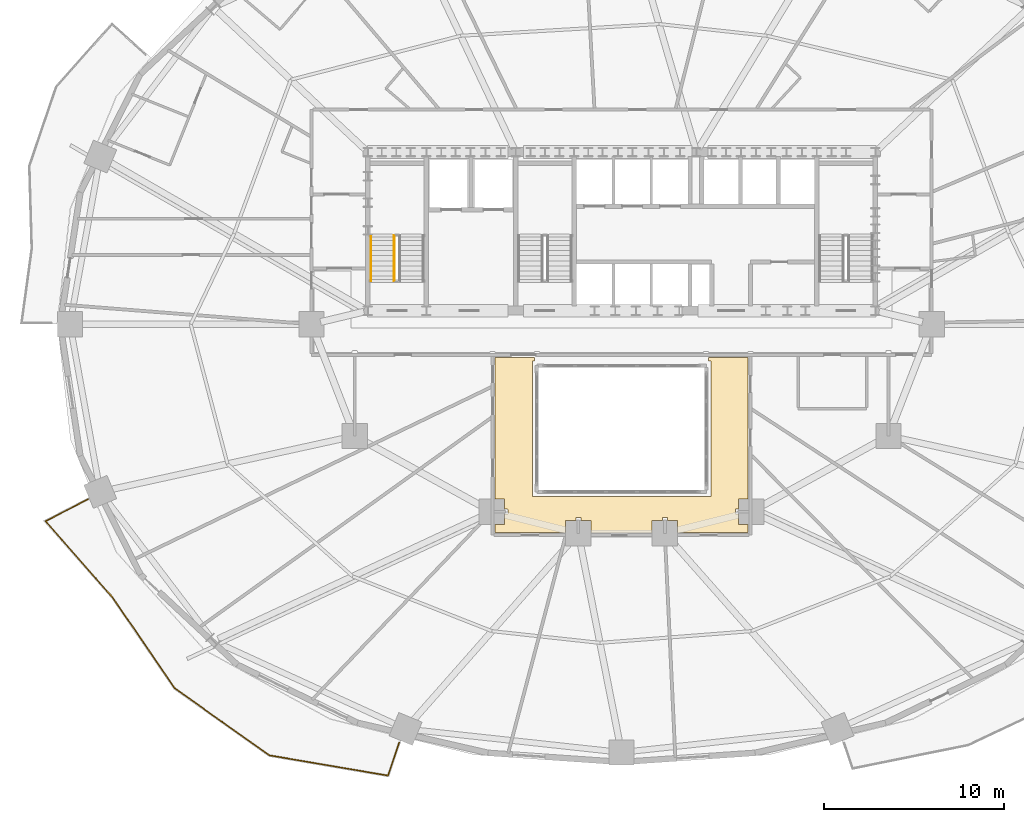
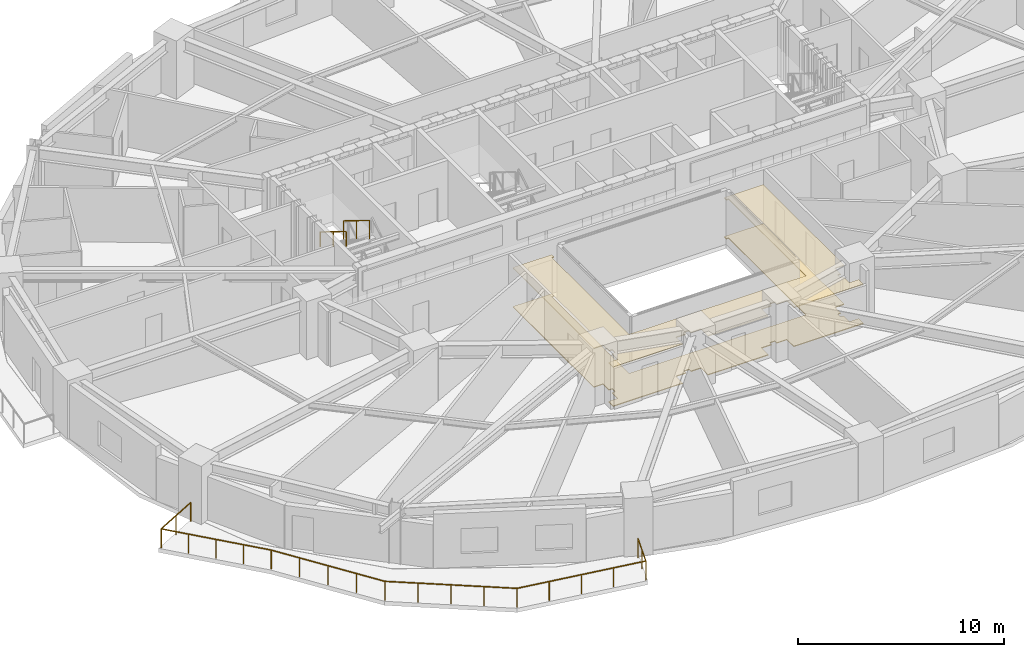
# One storey, part 14 of 17: 3 railings, 2 coverings.
"""IFC4 building model written with IfcOpenShell, lengths in metres."""

from ifc_helpers import new_model, si_unit, direction, frame, origin, origin_2d, place, context, subcontext, project, spatial, polyline, rectangle, outline, extrude, material, layer, layer_set, type_object, element, save


model = new_model("IFC4")

# Units and contexts
model_context = context("Model", 3, precision=1e-05, world=origin(), true_north=direction((0.0, 1.0)))
body_context = subcontext(model_context, "Body", "Model", "MODEL_VIEW")
ifc_project = project(units=[si_unit("LENGTHUNIT", "METRE"), si_unit("AREAUNIT", "SQUARE_METRE"), si_unit("VOLUMEUNIT", "CUBIC_METRE"), si_unit("PLANEANGLEUNIT", "RADIAN"), si_unit("MASSUNIT", "GRAM", prefix="KILO")], contexts=[model_context])

# Site, building, storey
site_placement = place(None, origin())
site = spatial("IfcSite", under=ifc_project, at=site_placement, CompositionType="ELEMENT")
building_placement = place(site_placement, origin())
building = spatial("IfcBuilding", under=site, at=building_placement, Name="Haldorwick Loom Tower", CompositionType="ELEMENT")
storey_placement = place(building_placement, frame((0.0, 0.0, 30.89990234375)))
storey = spatial("IfcBuildingStorey", under=building, at=storey_placement, Name="L07", CompositionType="ELEMENT", Elevation=30.89990234375)

# Coverings
ifc_material_1 = material(Name="Mineral Fibre Acoustic Ceiling Tile")
ifc_layer_1 = layer(ifc_material_1, 0.054931640625, Name="Mineral Fibre Acoustic Ceiling Tile")
ifc_layer_set_1 = layer_set([ifc_layer_1], Name="Mineral Fibre Acoustic Ceiling Tile")
covering_type_1 = type_object("IfcCoveringType", Name="ARC-COV-CEIL2", PredefinedType="CEILING", material=ifc_layer_set_1)
covering_1_placement = place(storey_placement, frame((0.0, 0.0, 2.302001953125)))
element("IfcCovering", 1, at=covering_1_placement, inside=storey, type_object=covering_type_1, Name="L07 Acoustic Suspended Ceiling 1", PredefinedType="CEILING", context=body_context, shape_type="SweptSolid", body=[
    extrude(outline(polyline([(40.820068359375, 24.159912109375), (40.820068359375, 23.949951171875), (40.949951171875, 23.949951171875), (40.949951171875, 16.449951171875), (31.050048828125, 16.449951171875), (31.050048828125, 23.949951171875), (31.179931640625, 23.949951171875), (31.179931640625, 24.159912109375), (28.989990234375, 24.159912109375), (28.989990234375, 16.30810546875), (29.508056640625, 16.30810546875), (29.508056640625, 15.739990234375), (29.669921875, 15.739990234375), (29.672119140625, 15.739990234375), (29.673828125, 15.739501953125), (29.67578125, 15.739013671875), (29.677734375, 15.738525390625), (29.679443359375, 15.737548828125), (29.68115234375, 15.736572265625), (29.6826171875, 15.735595703125), (29.68408203125, 15.734130859375), (29.685546875, 15.732666015625), (29.6865234375, 15.731201171875), (29.6875, 15.7294921875), (29.6884765625, 15.727783203125), (29.689208984375, 15.725830078125), (29.689697265625, 15.723876953125), (29.68994140625, 15.721923828125), (29.68994140625, 15.719970703125), (29.68994140625, 15.47998046875), (29.68994140625, 15.47802734375), (29.689697265625, 15.47607421875), (29.689208984375, 15.47412109375), (29.6884765625, 15.472412109375), (29.6875, 15.470703125), (29.6865234375, 15.468994140625), (29.685546875, 15.46728515625), (29.68408203125, 15.4658203125), (29.6826171875, 15.464599609375), (29.68115234375, 15.46337890625), (29.679443359375, 15.46240234375), (29.677734375, 15.46142578125), (29.67578125, 15.4609375), (29.673828125, 15.46044921875), (29.672119140625, 15.460205078125), (29.669921875, 15.4599609375), (29.508056640625, 15.4599609375), (29.508056640625, 14.89208984375), (28.989990234375, 14.89208984375), (28.989990234375, 14.43994140625), (32.89208984375, 14.43994140625), (32.89208984375, 15.10791015625), (33.4599609375, 15.10791015625), (33.4599609375, 15.27001953125), (33.460205078125, 15.27197265625), (33.46044921875, 15.27392578125), (33.4609375, 15.27587890625), (33.46142578125, 15.277587890625), (33.46240234375, 15.279296875), (33.46337890625, 15.281005859375), (33.464599609375, 15.28271484375), (33.4658203125, 15.2841796875), (33.46728515625, 15.285400390625), (33.468994140625, 15.28662109375), (33.470703125, 15.28759765625), (33.472412109375, 15.28857421875), (33.47412109375, 15.2890625), (33.47607421875, 15.28955078125), (33.47802734375, 15.289794921875), (33.47998046875, 15.2900390625), (33.719970703125, 15.2900390625), (33.721923828125, 15.289794921875), (33.723876953125, 15.28955078125), (33.725830078125, 15.2890625), (33.727783203125, 15.28857421875), (33.7294921875, 15.28759765625), (33.731201171875, 15.28662109375), (33.732666015625, 15.285400390625), (33.734130859375, 15.2841796875), (33.735595703125, 15.28271484375), (33.736572265625, 15.281005859375), (33.737548828125, 15.279296875), (33.738525390625, 15.277587890625), (33.739013671875, 15.27587890625), (33.739501953125, 15.27392578125), (33.739990234375, 15.27197265625), (33.739990234375, 15.27001953125), (33.739990234375, 15.10791015625), (34.30810546875, 15.10791015625), (34.30810546875, 14.43994140625), (37.69189453125, 14.43994140625), (37.69189453125, 15.10791015625), (38.259765625, 15.10791015625), (38.260009765625, 15.27001953125), (38.260009765625, 15.27197265625), (38.260498046875, 15.27392578125), (38.260986328125, 15.27587890625), (38.261474609375, 15.277587890625), (38.262451171875, 15.279296875), (38.263427734375, 15.281005859375), (38.264404296875, 15.28271484375), (38.265869140625, 15.2841796875), (38.267333984375, 15.285400390625), (38.268798828125, 15.28662109375), (38.2705078125, 15.28759765625), (38.2724609375, 15.28857421875), (38.274169921875, 15.2890625), (38.276123046875, 15.28955078125), (38.278076171875, 15.289794921875), (38.280029296875, 15.2900390625), (38.52001953125, 15.2900390625), (38.52197265625, 15.289794921875), (38.52392578125, 15.28955078125), (38.52587890625, 15.2890625), (38.527587890625, 15.28857421875), (38.529296875, 15.28759765625), (38.531005859375, 15.28662109375), (38.53271484375, 15.285400390625), (38.5341796875, 15.2841796875), (38.535400390625, 15.28271484375), (38.53662109375, 15.281005859375), (38.53759765625, 15.279296875), (38.53857421875, 15.277587890625), (38.5390625, 15.27587890625), (38.53955078125, 15.27392578125), (38.539794921875, 15.27197265625), (38.5400390625, 15.27001953125), (38.5400390625, 15.10791015625), (39.10791015625, 15.10791015625), (39.10791015625, 14.43994140625), (43.010009765625, 14.43994140625), (43.010009765625, 14.89208984375), (42.491943359375, 14.89208984375), (42.491943359375, 15.4599609375), (42.330078125, 15.4599609375), (42.327880859375, 15.460205078125), (42.326171875, 15.46044921875), (42.32421875, 15.4609375), (42.322265625, 15.46142578125), (42.320556640625, 15.46240234375), (42.31884765625, 15.46337890625), (42.3173828125, 15.464599609375), (42.31591796875, 15.4658203125), (42.314453125, 15.46728515625), (42.3134765625, 15.468994140625), (42.3125, 15.470703125), (42.3115234375, 15.472412109375), (42.310791015625, 15.47412109375), (42.310302734375, 15.47607421875), (42.31005859375, 15.47802734375), (42.31005859375, 15.47998046875), (42.31005859375, 15.719970703125), (42.31005859375, 15.721923828125), (42.310302734375, 15.723876953125), (42.310791015625, 15.725830078125), (42.3115234375, 15.727783203125), (42.3125, 15.7294921875), (42.3134765625, 15.731201171875), (42.314453125, 15.732666015625), (42.31591796875, 15.734130859375), (42.3173828125, 15.735595703125), (42.31884765625, 15.736572265625), (42.320556640625, 15.737548828125), (42.322265625, 15.738525390625), (42.32421875, 15.739013671875), (42.326171875, 15.739501953125), (42.327880859375, 15.739990234375), (42.330078125, 15.739990234375), (42.491943359375, 15.739990234375), (42.491943359375, 16.30810546875), (43.010009765625, 16.30810546875), (43.010009765625, 24.159912109375), (40.820068359375, 24.159912109375)])), origin(), (0.0, 0.0, 1.0), 0.05517578125),
])
ifc_material_2 = material(Name="Polished Aggregate Terrazzo Finish")
ifc_layer_2 = layer(ifc_material_2, 0.044921875, Name="Polished Aggregate Terrazzo Finish")
ifc_layer_set_2 = layer_set([ifc_layer_2], Name="Polished Aggregate Terrazzo Finish")
covering_type_2 = type_object("IfcCoveringType", Name="ARC-COV-FLOOR2", PredefinedType="FLOORING", material=ifc_layer_set_2)
covering_2_placement = place(storey_placement, origin())
element("IfcCovering", 2, at=covering_2_placement, inside=storey, type_object=covering_type_2, Name="L07 Floor Finish 1", PredefinedType="FLOORING", context=body_context, shape_type="SweptSolid", body=[
    extrude(outline(polyline([(40.820068359375, 24.159912109375), (40.820068359375, 23.949951171875), (40.949951171875, 23.949951171875), (40.949951171875, 16.449951171875), (31.050048828125, 16.449951171875), (31.050048828125, 23.949951171875), (31.179931640625, 23.949951171875), (31.179931640625, 24.159912109375), (28.989990234375, 24.159912109375), (28.989990234375, 16.30810546875), (29.508056640625, 16.30810546875), (29.508056640625, 15.739990234375), (29.669921875, 15.739990234375), (29.672119140625, 15.739990234375), (29.673828125, 15.739501953125), (29.67578125, 15.739013671875), (29.677734375, 15.738525390625), (29.679443359375, 15.737548828125), (29.68115234375, 15.736572265625), (29.6826171875, 15.735595703125), (29.68408203125, 15.734130859375), (29.685546875, 15.732666015625), (29.6865234375, 15.731201171875), (29.6875, 15.7294921875), (29.6884765625, 15.727783203125), (29.689208984375, 15.725830078125), (29.689697265625, 15.723876953125), (29.68994140625, 15.721923828125), (29.68994140625, 15.719970703125), (29.68994140625, 15.47998046875), (29.68994140625, 15.47802734375), (29.689697265625, 15.47607421875), (29.689208984375, 15.47412109375), (29.6884765625, 15.472412109375), (29.6875, 15.470703125), (29.6865234375, 15.468994140625), (29.685546875, 15.46728515625), (29.68408203125, 15.4658203125), (29.6826171875, 15.464599609375), (29.68115234375, 15.46337890625), (29.679443359375, 15.46240234375), (29.677734375, 15.46142578125), (29.67578125, 15.4609375), (29.673828125, 15.46044921875), (29.672119140625, 15.460205078125), (29.669921875, 15.4599609375), (29.508056640625, 15.4599609375), (29.508056640625, 14.89208984375), (28.989990234375, 14.89208984375), (28.989990234375, 14.43994140625), (32.89208984375, 14.43994140625), (32.89208984375, 15.10791015625), (33.4599609375, 15.10791015625), (33.4599609375, 15.27001953125), (33.460205078125, 15.27197265625), (33.46044921875, 15.27392578125), (33.4609375, 15.27587890625), (33.46142578125, 15.277587890625), (33.46240234375, 15.279296875), (33.46337890625, 15.281005859375), (33.464599609375, 15.28271484375), (33.4658203125, 15.2841796875), (33.46728515625, 15.285400390625), (33.468994140625, 15.28662109375), (33.470703125, 15.28759765625), (33.472412109375, 15.28857421875), (33.47412109375, 15.2890625), (33.47607421875, 15.28955078125), (33.47802734375, 15.289794921875), (33.47998046875, 15.2900390625), (33.719970703125, 15.2900390625), (33.721923828125, 15.289794921875), (33.723876953125, 15.28955078125), (33.725830078125, 15.2890625), (33.727783203125, 15.28857421875), (33.7294921875, 15.28759765625), (33.731201171875, 15.28662109375), (33.732666015625, 15.285400390625), (33.734130859375, 15.2841796875), (33.735595703125, 15.28271484375), (33.736572265625, 15.281005859375), (33.737548828125, 15.279296875), (33.738525390625, 15.277587890625), (33.739013671875, 15.27587890625), (33.739501953125, 15.27392578125), (33.739990234375, 15.27197265625), (33.739990234375, 15.27001953125), (33.739990234375, 15.10791015625), (34.30810546875, 15.10791015625), (34.30810546875, 14.43994140625), (37.69189453125, 14.43994140625), (37.69189453125, 15.10791015625), (38.259765625, 15.10791015625), (38.260009765625, 15.27001953125), (38.260009765625, 15.27197265625), (38.260498046875, 15.27392578125), (38.260986328125, 15.27587890625), (38.261474609375, 15.277587890625), (38.262451171875, 15.279296875), (38.263427734375, 15.281005859375), (38.264404296875, 15.28271484375), (38.265869140625, 15.2841796875), (38.267333984375, 15.285400390625), (38.268798828125, 15.28662109375), (38.2705078125, 15.28759765625), (38.2724609375, 15.28857421875), (38.274169921875, 15.2890625), (38.276123046875, 15.28955078125), (38.278076171875, 15.289794921875), (38.280029296875, 15.2900390625), (38.52001953125, 15.2900390625), (38.52197265625, 15.289794921875), (38.52392578125, 15.28955078125), (38.52587890625, 15.2890625), (38.527587890625, 15.28857421875), (38.529296875, 15.28759765625), (38.531005859375, 15.28662109375), (38.53271484375, 15.285400390625), (38.5341796875, 15.2841796875), (38.535400390625, 15.28271484375), (38.53662109375, 15.281005859375), (38.53759765625, 15.279296875), (38.53857421875, 15.277587890625), (38.5390625, 15.27587890625), (38.53955078125, 15.27392578125), (38.539794921875, 15.27197265625), (38.5400390625, 15.27001953125), (38.5400390625, 15.10791015625), (39.10791015625, 15.10791015625), (39.10791015625, 14.43994140625), (43.010009765625, 14.43994140625), (43.010009765625, 14.89208984375), (42.491943359375, 14.89208984375), (42.491943359375, 15.4599609375), (42.330078125, 15.4599609375), (42.327880859375, 15.460205078125), (42.326171875, 15.46044921875), (42.32421875, 15.4609375), (42.322265625, 15.46142578125), (42.320556640625, 15.46240234375), (42.31884765625, 15.46337890625), (42.3173828125, 15.464599609375), (42.31591796875, 15.4658203125), (42.314453125, 15.46728515625), (42.3134765625, 15.468994140625), (42.3125, 15.470703125), (42.3115234375, 15.472412109375), (42.310791015625, 15.47412109375), (42.310302734375, 15.47607421875), (42.31005859375, 15.47802734375), (42.31005859375, 15.47998046875), (42.31005859375, 15.719970703125), (42.31005859375, 15.721923828125), (42.310302734375, 15.723876953125), (42.310791015625, 15.725830078125), (42.3115234375, 15.727783203125), (42.3125, 15.7294921875), (42.3134765625, 15.731201171875), (42.314453125, 15.732666015625), (42.31591796875, 15.734130859375), (42.3173828125, 15.735595703125), (42.31884765625, 15.736572265625), (42.320556640625, 15.737548828125), (42.322265625, 15.738525390625), (42.32421875, 15.739013671875), (42.326171875, 15.739501953125), (42.327880859375, 15.739990234375), (42.330078125, 15.739990234375), (42.491943359375, 15.739990234375), (42.491943359375, 16.30810546875), (43.010009765625, 16.30810546875), (43.010009765625, 24.159912109375), (40.820068359375, 24.159912109375)])), origin(), (0.0, 0.0, 1.0), 0.045166015625),
])

# Railings
ifc_material_3 = material(Name="Galvanized Steel CSA G40.21 350W", Category="steel")
railing_type_1 = type_object("IfcRailingType", Name="ARC-RLG-BAL115", PredefinedType="BALUSTRADE", material=ifc_material_3)
railing_1_placement = place(storey_placement, frame((23.661865234375, 2.792236328125, 0.0)))
element("IfcRailing", 3, at=railing_1_placement, inside=storey, type_object=railing_type_1, Name="L07 Outdoor Terrace Guardrail SLB-L07-BAL_SW-1", PredefinedType="BALUSTRADE", context=body_context, shape_type="SweptSolid", body=[
    extrude(rectangle(XDim=0.048095703125, YDim=0.048095703125, at=origin_2d()), frame((0.0, 0.0, 1.1259765625), z_axis=(-0.320435584101, -0.947270308012, 0.0), x_axis=(0.947270308012, -0.320435584101, 0.0)), (0.0, 0.0, 1.0), 1.9306640625),
    extrude(rectangle(XDim=0.048095703125, YDim=0.048095703125, at=origin_2d()), frame((-0.61865234375, -1.828857421875, 1.1259765625), z_axis=(-0.985747982985, 0.168228755094, 0.0), x_axis=(-0.168228755094, -0.985747982985, 0.0)), (0.0, 0.0, 1.0), 6.66552734375),
    extrude(rectangle(XDim=0.048095703125, YDim=0.048095703125, at=origin_2d()), frame((-7.189208984375, -0.70751953125, 1.1259765625), z_axis=(-0.816259372483, 0.577685586486, 0.0), x_axis=(-0.577685586486, -0.816259372483, 0.0)), (0.0, 0.0, 1.0), 6.4326171875),
    extrude(rectangle(XDim=0.048095703125, YDim=0.048095703125, at=origin_2d()), frame((-12.43994140625, 3.008544921875, 1.1259765625), z_axis=(-0.564811281477, 0.82522010174, 0.0), x_axis=(-0.82522010174, -0.564811281477, 0.0)), (0.0, 0.0, 1.0), 6.115478515625),
    extrude(rectangle(XDim=0.048095703125, YDim=0.048095703125, at=origin_2d()), frame((-15.89404296875, 8.05517578125, 1.1259765625), z_axis=(-0.615644041972, 0.788024373725, 0.0), x_axis=(-0.788024373725, -0.615644041972, 0.0)), (0.0, 0.0, 1.0), 0.010009765625),
    extrude(rectangle(XDim=0.048095703125, YDim=0.048095703125, at=origin_2d()), frame((-15.900146484375, 8.06298828125, 1.1259765625), z_axis=(-0.661217967964, 0.750193840845, 0.0), x_axis=(-0.750193840845, -0.661217967964, 0.0)), (0.0, 0.0, 1.0), 5.622314453125),
    extrude(rectangle(XDim=0.048095703125, YDim=0.048095703125, at=origin_2d()), frame((-19.61767578125, 12.28076171875, 1.1259765625), z_axis=(0.889147904844, 0.457619933254, 0.0), x_axis=(-0.457619933254, 0.889147904844, 0.0)), (0.0, 0.0, 1.0), 2.657470703125),
    extrude(rectangle(XDim=0.0419921875, YDim=0.0419921875, at=origin_2d()), origin(), (0.0, 0.0, 1.0), 1.101806640625),
    extrude(rectangle(XDim=0.0419921875, YDim=0.0419921875, at=origin_2d()), frame((-0.309326171875, -0.91455078125, 0.0)), (0.0, 0.0, 1.0), 1.101806640625),
    extrude(rectangle(XDim=0.0419921875, YDim=0.0419921875, at=origin_2d()), frame((-0.61865234375, -1.828857421875, 0.0)), (0.0, 0.0, 1.0), 1.101806640625),
    extrude(rectangle(XDim=0.0419921875, YDim=0.0419921875, at=origin_2d()), frame((-2.26123046875, -1.548583984375, 0.0)), (0.0, 0.0, 1.0), 1.101806640625),
    extrude(rectangle(XDim=0.0419921875, YDim=0.0419921875, at=origin_2d()), frame((-3.90380859375, -1.26806640625, 0.0)), (0.0, 0.0, 1.0), 1.101806640625),
    extrude(rectangle(XDim=0.0419921875, YDim=0.0419921875, at=origin_2d()), frame((-5.546630859375, -0.98779296875, 0.0)), (0.0, 0.0, 1.0), 1.101806640625),
    extrude(rectangle(XDim=0.0419921875, YDim=0.0419921875, at=origin_2d()), frame((-7.189208984375, -0.70751953125, 0.0)), (0.0, 0.0, 1.0), 1.101806640625),
    extrude(rectangle(XDim=0.0419921875, YDim=0.0419921875, at=origin_2d()), frame((-8.501953125, 0.221435546875, 0.0)), (0.0, 0.0, 1.0), 1.101806640625),
    extrude(rectangle(XDim=0.0419921875, YDim=0.0419921875, at=origin_2d()), frame((-9.814453125, 1.150390625, 0.0)), (0.0, 0.0, 1.0), 1.101806640625),
    extrude(rectangle(XDim=0.0419921875, YDim=0.0419921875, at=origin_2d()), frame((-11.127197265625, 2.07958984375, 0.0)), (0.0, 0.0, 1.0), 1.101806640625),
    extrude(rectangle(XDim=0.0419921875, YDim=0.0419921875, at=origin_2d()), frame((-12.43994140625, 3.008544921875, 0.0)), (0.0, 0.0, 1.0), 1.101806640625),
    extrude(rectangle(XDim=0.0419921875, YDim=0.0419921875, at=origin_2d()), frame((-13.303466796875, 4.270263671875, 0.0)), (0.0, 0.0, 1.0), 1.101806640625),
    extrude(rectangle(XDim=0.0419921875, YDim=0.0419921875, at=origin_2d()), frame((-14.1669921875, 5.53173828125, 0.0)), (0.0, 0.0, 1.0), 1.101806640625),
    extrude(rectangle(XDim=0.0419921875, YDim=0.0419921875, at=origin_2d()), frame((-15.030517578125, 6.79345703125, 0.0)), (0.0, 0.0, 1.0), 1.101806640625),
    extrude(rectangle(XDim=0.0419921875, YDim=0.0419921875, at=origin_2d()), frame((-15.89404296875, 8.05517578125, 0.0)), (0.0, 0.0, 1.0), 1.101806640625),
    extrude(rectangle(XDim=0.0419921875, YDim=0.0419921875, at=origin_2d()), frame((-16.82958984375, 9.117431640625, 0.0)), (0.0, 0.0, 1.0), 1.101806640625),
    extrude(rectangle(XDim=0.0419921875, YDim=0.0419921875, at=origin_2d()), frame((-17.7587890625, 10.171875, 0.0)), (0.0, 0.0, 1.0), 1.101806640625),
    extrude(rectangle(XDim=0.0419921875, YDim=0.0419921875, at=origin_2d()), frame((-18.688232421875, 11.226318359375, 0.0)), (0.0, 0.0, 1.0), 1.101806640625),
    extrude(rectangle(XDim=0.0419921875, YDim=0.0419921875, at=origin_2d()), frame((-19.61767578125, 12.28076171875, 0.0)), (0.0, 0.0, 1.0), 1.101806640625),
    extrude(rectangle(XDim=0.0419921875, YDim=0.0419921875, at=origin_2d()), frame((-18.436279296875, 12.888671875, 0.0)), (0.0, 0.0, 1.0), 1.101806640625),
    extrude(rectangle(XDim=0.0419921875, YDim=0.0419921875, at=origin_2d()), frame((-17.2548828125, 13.496826171875, 0.0)), (0.0, 0.0, 1.0), 1.101806640625),
])
ifc_material_4 = material(Name="Steel CSA G40.21 350W", Category="steel")
railing_type_2 = type_object("IfcRailingType", Name="ARC-RLG-GUARD112", PredefinedType="GUARDRAIL", material=ifc_material_4)
railing_2_placement = place(storey_placement, frame((23.39990234375, 30.919921875, 1.897705078125)))
element("IfcRailing", 4, at=railing_2_placement, inside=storey, type_object=railing_type_2, Name="L07 ST-01 stair guard 3", PredefinedType="GUARDRAIL", context=body_context, shape_type="SweptSolid", body=[
    extrude(rectangle(XDim=0.048095703125, YDim=0.048095703125, at=origin_2d()), frame((0.0, 0.0, 1.076171875), z_axis=(0.0, -0.851400495292, 0.524516154772), x_axis=(1.0, 0.0, 0.0)), (0.0, 0.0, 1.0), 2.9599609375),
    extrude(rectangle(XDim=0.0419921875, YDim=0.0419921875, at=origin_2d()), origin(), (0.0, 0.0, 1.0), 1.052001953125),
    extrude(rectangle(XDim=0.0419921875, YDim=0.0419921875, at=origin_2d()), frame((0.0, -1.260009765625, 0.7763671875)), (0.0, 0.0, 1.0), 1.052001953125),
    extrude(rectangle(XDim=0.0419921875, YDim=0.0419921875, at=origin_2d()), frame((0.0, -2.52001953125, 1.552490234375)), (0.0, 0.0, 1.0), 1.052001953125),
])
railing_type_3 = type_object("IfcRailingType", Name="ARC-RLG-HAND092", PredefinedType="HANDRAIL", material=ifc_material_4)
railing_3_placement = place(storey_placement, frame((22.10009765625, 30.919921875, 1.897705078125)))
element("IfcRailing", 5, at=railing_3_placement, inside=storey, type_object=railing_type_3, Name="L07 ST-01 stair handrail 2", PredefinedType="HANDRAIL", context=body_context, shape_type="SweptSolid", body=[
    extrude(rectangle(XDim=0.048095703125, YDim=0.048095703125, at=origin_2d()), frame((0.0, 0.0, 0.8759765625), z_axis=(0.0, -0.851400495292, 0.524516154772), x_axis=(1.0, 0.0, 0.0)), (0.0, 0.0, 1.0), 2.9599609375),
    extrude(rectangle(XDim=0.0419921875, YDim=0.0419921875, at=origin_2d()), origin(), (0.0, 0.0, 1.0), 0.851806640625),
    extrude(rectangle(XDim=0.0419921875, YDim=0.0419921875, at=origin_2d()), frame((0.0, -1.260009765625, 0.7763671875)), (0.0, 0.0, 1.0), 0.851806640625),
    extrude(rectangle(XDim=0.0419921875, YDim=0.0419921875, at=origin_2d()), frame((0.0, -2.52001953125, 1.552490234375)), (0.0, 0.0, 1.0), 0.851806640625),
])

save(model, "model.ifc")
